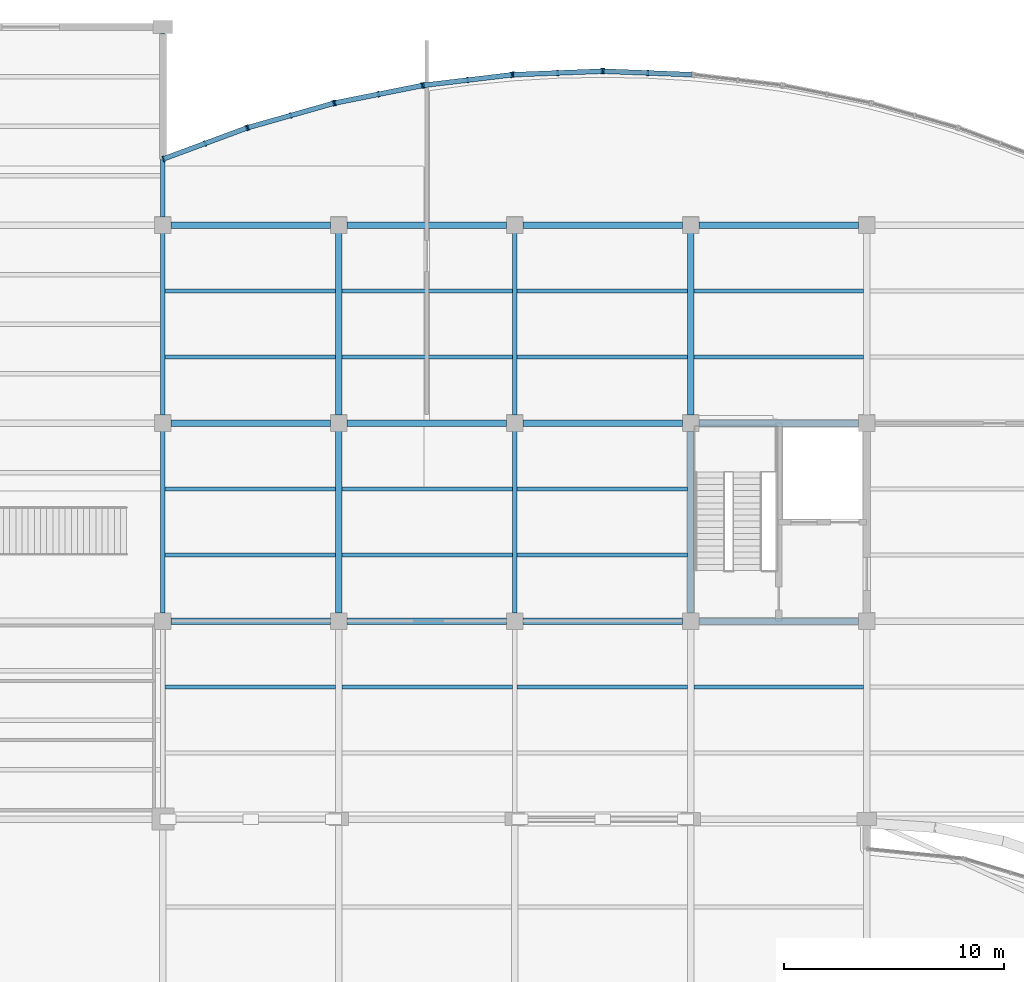
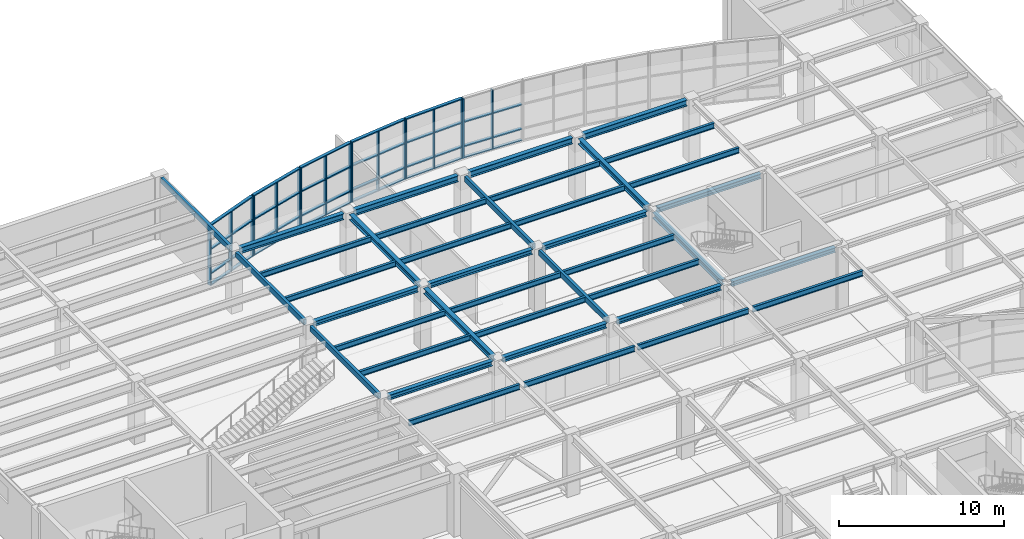
# One storey, part 33 of 72: 40 members, 39 beams, 6 elements without a shape of their own.
"""IFC4 building model written with IfcOpenShell, lengths in metres."""

from ifc_helpers import new_model, si_unit, direction, frame, origin, origin_2d, place, context, subcontext, project, spatial, rectangle, hollow_rectangle, i_section, extrude, material, layer, layer_set, material_profile, profile_set, type_object, element, aggregate, save


model = new_model("IFC4")

# Units and contexts
model_context = context("Model", 3, precision=1e-05, world=origin(), true_north=direction((0.0, 1.0)))
body_context = subcontext(model_context, "Body", "Model", "MODEL_VIEW")
ifc_project = project(units=[si_unit("LENGTHUNIT", "METRE"), si_unit("AREAUNIT", "SQUARE_METRE"), si_unit("VOLUMEUNIT", "CUBIC_METRE"), si_unit("PLANEANGLEUNIT", "RADIAN"), si_unit("MASSUNIT", "GRAM", prefix="KILO")], contexts=[model_context])

# Site, building, storey
site_placement = place(None, origin())
site = spatial("IfcSite", under=ifc_project, at=site_placement, CompositionType="ELEMENT")
building_placement = place(site_placement, origin())
building = spatial("IfcBuilding", under=site, at=building_placement, Name="Keelwater Ferry Terminal", CompositionType="ELEMENT")
storey_placement = place(building_placement, frame((0.0, 0.0, 5.39990234375)))
storey = spatial("IfcBuildingStorey", under=building, at=storey_placement, Name="L01", CompositionType="ELEMENT", Elevation=5.39990234375)

# Curtain wall, members
ifc_material_1 = material(Name="Thermally broken unitised aluminium and triple glass", Category="aluminium")
ifc_layer = layer(ifc_material_1, 0.179931640625)
ifc_layer_set = layer_set([ifc_layer], Name="Thermally broken unitised aluminium and triple glass")
curtain_wall_type = type_object("IfcCurtainWallType", Name="CW-21 Unitised Curtain Wall 4015x4400", PredefinedType="USERDEFINED", material=ifc_layer_set)
curtain_wall_1_placement = place(storey_placement, origin())
curtain_wall_1 = element("IfcCurtainWall", 1, at=curtain_wall_1_placement, inside=storey, type_object=curtain_wall_type, Name="Unitised Curtain Wall CW-L01-187", ObjectType="UNITISED CURTAIN WALL", PredefinedType="USERDEFINED")
ifc_material_2 = material(Name="Aluminium mullion", Category="aluminium")
ifc_material_profile_1 = material_profile(ifc_material_2, rectangle(XDim=0.080078125, YDim=0.25, at=origin_2d()), Name="CWM-04")
ifc_profile_set_1 = profile_set([ifc_material_profile_1], Name="Aluminium mullion")
member_type_1 = type_object("IfcMemberType", Name="CWM-04 Curtain Mullion 80x250", PredefinedType="MULLION", material=ifc_profile_set_1)
member_1_placement = place(storey_placement, frame((154.051025390625, 123.9189453125, 0.0), z_axis=(0.0, 0.0, 1.0), x_axis=(-0.999225435626, 0.039351350652, 0.0)))
member_1 = element("IfcMember", 2, at=member_1_placement, type_object=member_type_1, Name="CW-L01-187 Mullion 2", PredefinedType="MULLION", context=body_context, shape_type="SweptSolid", body=[
    extrude(rectangle(XDim=0.080078125, YDim=0.25, at=origin_2d()), origin(), (0.0, 0.0, 1.0), 4.400146484375),
])
member_2_placement = place(storey_placement, frame((152.044921875, 123.998046875, 0.0), z_axis=(0.0, 0.0, 1.0), x_axis=(-0.999225435626, 0.039351350652, 0.0)))
member_2 = element("IfcMember", 3, at=member_2_placement, type_object=member_type_1, Name="CW-L01-187 Mullion 3", PredefinedType="MULLION", context=body_context, shape_type="SweptSolid", body=[
    extrude(rectangle(XDim=0.080078125, YDim=0.25, at=origin_2d()), origin(), (0.0, 0.0, 1.0), 4.400146484375),
])

curtain_wall_2_placement = place(storey_placement, origin())
curtain_wall_2 = element("IfcCurtainWall", 4, at=curtain_wall_2_placement, inside=storey, type_object=curtain_wall_type, Name="Unitised Curtain Wall CW-L01-188", ObjectType="UNITISED CURTAIN WALL", PredefinedType="USERDEFINED")
member_3_placement = place(storey_placement, frame((151.955078125, 123.998046875, 0.0), z_axis=(0.0, 0.0, 1.0), x_axis=(-0.999225435626, -0.039351350652, 0.0)))
member_3 = element("IfcMember", 5, at=member_3_placement, type_object=member_type_1, Name="CW-L01-188 Mullion 1", PredefinedType="MULLION", context=body_context, shape_type="SweptSolid", body=[
    extrude(rectangle(XDim=0.080078125, YDim=0.25, at=origin_2d()), origin(), (0.0, 0.0, 1.0), 4.400146484375),
])
member_4_placement = place(storey_placement, frame((149.948974609375, 123.9189453125, 0.0), z_axis=(0.0, 0.0, 1.0), x_axis=(-0.999225435626, -0.039351350652, 0.0)))
member_4 = element("IfcMember", 6, at=member_4_placement, type_object=member_type_1, Name="CW-L01-188 Mullion 2", PredefinedType="MULLION", context=body_context, shape_type="SweptSolid", body=[
    extrude(rectangle(XDim=0.080078125, YDim=0.25, at=origin_2d()), origin(), (0.0, 0.0, 1.0), 4.400146484375),
])
member_5_placement = place(storey_placement, frame((147.943115234375, 123.840087890625, 0.0), z_axis=(0.0, 0.0, 1.0), x_axis=(-0.999225435626, -0.039351350652, 0.0)))
member_5 = element("IfcMember", 7, at=member_5_placement, type_object=member_type_1, Name="CW-L01-188 Mullion 3", PredefinedType="MULLION", context=body_context, shape_type="SweptSolid", body=[
    extrude(rectangle(XDim=0.080078125, YDim=0.25, at=origin_2d()), origin(), (0.0, 0.0, 1.0), 4.400146484375),
])

curtain_wall_3_placement = place(storey_placement, origin())
curtain_wall_3 = element("IfcCurtainWall", 8, at=curtain_wall_3_placement, inside=storey, type_object=curtain_wall_type, Name="Unitised Curtain Wall CW-L01-189", ObjectType="UNITISED CURTAIN WALL", PredefinedType="USERDEFINED")
member_6_placement = place(storey_placement, frame((147.85302734375, 123.8330078125, 0.0), z_axis=(0.0, 0.0, 1.0), x_axis=(-0.992974342459, -0.118329857676, 0.0)))
member_6 = element("IfcMember", 9, at=member_6_placement, type_object=member_type_1, Name="CW-L01-189 Mullion 1", PredefinedType="MULLION", context=body_context, shape_type="SweptSolid", body=[
    extrude(rectangle(XDim=0.080078125, YDim=0.25, at=origin_2d()), origin(), (0.0, 0.0, 1.0), 4.400146484375),
])
member_7_placement = place(storey_placement, frame((145.860107421875, 123.595458984375, 0.0), z_axis=(0.0, 0.0, 1.0), x_axis=(-0.992974342459, -0.118329857676, 0.0)))
member_7 = element("IfcMember", 10, at=member_7_placement, type_object=member_type_1, Name="CW-L01-189 Mullion 2", PredefinedType="MULLION", context=body_context, shape_type="SweptSolid", body=[
    extrude(rectangle(XDim=0.080078125, YDim=0.25, at=origin_2d()), origin(), (0.0, 0.0, 1.0), 4.400146484375),
])
member_8_placement = place(storey_placement, frame((143.866943359375, 123.35791015625, 0.0), z_axis=(0.0, 0.0, 1.0), x_axis=(-0.992974342459, -0.118329857676, 0.0)))
member_8 = element("IfcMember", 11, at=member_8_placement, type_object=member_type_1, Name="CW-L01-189 Mullion 3", PredefinedType="MULLION", context=body_context, shape_type="SweptSolid", body=[
    extrude(rectangle(XDim=0.080078125, YDim=0.25, at=origin_2d()), origin(), (0.0, 0.0, 1.0), 4.400146484375),
])

curtain_wall_4_placement = place(storey_placement, origin())
curtain_wall_4 = element("IfcCurtainWall", 12, at=curtain_wall_4_placement, inside=storey, type_object=curtain_wall_type, Name="Unitised Curtain Wall CW-L01-190", ObjectType="UNITISED CURTAIN WALL", PredefinedType="USERDEFINED")
member_9_placement = place(storey_placement, frame((143.778076171875, 123.343994140625, 0.0), z_axis=(0.0, 0.0, 1.0), x_axis=(-0.98059983046, -0.196020336958, 0.0)))
member_9 = element("IfcMember", 13, at=member_9_placement, type_object=member_type_1, Name="CW-L01-190 Mullion 1", PredefinedType="MULLION", context=body_context, shape_type="SweptSolid", body=[
    extrude(rectangle(XDim=0.080078125, YDim=0.25, at=origin_2d()), origin(), (0.0, 0.0, 1.0), 4.400146484375),
])
member_10_placement = place(storey_placement, frame((141.8095703125, 122.950439453125, 0.0), z_axis=(0.0, 0.0, 1.0), x_axis=(-0.98059983046, -0.196020336958, 0.0)))
member_10 = element("IfcMember", 14, at=member_10_placement, type_object=member_type_1, Name="CW-L01-190 Mullion 2", PredefinedType="MULLION", context=body_context, shape_type="SweptSolid", body=[
    extrude(rectangle(XDim=0.080078125, YDim=0.25, at=origin_2d()), origin(), (0.0, 0.0, 1.0), 4.400146484375),
])
member_11_placement = place(storey_placement, frame((139.841064453125, 122.556884765625, 0.0), z_axis=(0.0, 0.0, 1.0), x_axis=(-0.98059983046, -0.196020336958, 0.0)))
member_11 = element("IfcMember", 15, at=member_11_placement, type_object=member_type_1, Name="CW-L01-190 Mullion 3", PredefinedType="MULLION", context=body_context, shape_type="SweptSolid", body=[
    extrude(rectangle(XDim=0.080078125, YDim=0.25, at=origin_2d()), origin(), (0.0, 0.0, 1.0), 4.400146484375),
])

curtain_wall_5_placement = place(storey_placement, origin())
curtain_wall_5 = element("IfcCurtainWall", 16, at=curtain_wall_5_placement, inside=storey, type_object=curtain_wall_type, Name="Unitised Curtain Wall CW-L01-191", ObjectType="UNITISED CURTAIN WALL", PredefinedType="USERDEFINED")
member_12_placement = place(storey_placement, frame((139.75390625, 122.535888671875, 0.0), z_axis=(0.0, 0.0, 1.0), x_axis=(-0.962029778706, -0.272944508797, 0.0)))
member_12 = element("IfcMember", 17, at=member_12_placement, type_object=member_type_1, Name="CW-L01-191 Mullion 1", PredefinedType="MULLION", context=body_context, shape_type="SweptSolid", body=[
    extrude(rectangle(XDim=0.080078125, YDim=0.25, at=origin_2d()), origin(), (0.0, 0.0, 1.0), 4.400146484375),
])
member_13_placement = place(storey_placement, frame((137.822509765625, 121.988037109375, 0.0), z_axis=(0.0, 0.0, 1.0), x_axis=(-0.962029778706, -0.272944508797, 0.0)))
member_13 = element("IfcMember", 18, at=member_13_placement, type_object=member_type_1, Name="CW-L01-191 Mullion 2", PredefinedType="MULLION", context=body_context, shape_type="SweptSolid", body=[
    extrude(rectangle(XDim=0.080078125, YDim=0.25, at=origin_2d()), origin(), (0.0, 0.0, 1.0), 4.400146484375),
])
member_14_placement = place(storey_placement, frame((135.89111328125, 121.43994140625, 0.0), z_axis=(0.0, 0.0, 1.0), x_axis=(-0.962029778706, -0.272944508797, 0.0)))
member_14 = element("IfcMember", 19, at=member_14_placement, type_object=member_type_1, Name="CW-L01-191 Mullion 3", PredefinedType="MULLION", context=body_context, shape_type="SweptSolid", body=[
    extrude(rectangle(XDim=0.080078125, YDim=0.25, at=origin_2d()), origin(), (0.0, 0.0, 1.0), 4.400146484375),
])

curtain_wall_6_placement = place(storey_placement, origin())
curtain_wall_6 = element("IfcCurtainWall", 20, at=curtain_wall_6_placement, inside=storey, type_object=curtain_wall_type, Name="Unitised Curtain Wall CW-L01-192", ObjectType="UNITISED CURTAIN WALL", PredefinedType="USERDEFINED")
member_15_placement = place(storey_placement, frame((135.805908203125, 121.412109375, 0.0), z_axis=(0.0, 0.0, 1.0), x_axis=(-0.937592418253, -0.347736189136, 0.0)))
member_15 = element("IfcMember", 21, at=member_15_placement, type_object=member_type_1, Name="CW-L01-192 Mullion 1", PredefinedType="MULLION", context=body_context, shape_type="SweptSolid", body=[
    extrude(rectangle(XDim=0.080078125, YDim=0.25, at=origin_2d()), origin(), (0.0, 0.0, 1.0), 4.400146484375),
])
member_16_placement = place(storey_placement, frame((133.924072265625, 120.714111328125, 0.0), z_axis=(0.0, 0.0, 1.0), x_axis=(-0.937592418253, -0.347736189136, 0.0)))
member_16 = element("IfcMember", 22, at=member_16_placement, type_object=member_type_1, Name="CW-L01-192 Mullion 2", PredefinedType="MULLION", context=body_context, shape_type="SweptSolid", body=[
    extrude(rectangle(XDim=0.080078125, YDim=0.25, at=origin_2d()), origin(), (0.0, 0.0, 1.0), 4.400146484375),
])
member_17_placement = place(storey_placement, frame((132.0419921875, 120.01611328125, 0.0), z_axis=(0.0, 0.0, 1.0), x_axis=(-0.937592418253, -0.347736189136, 0.0)))
member_17 = element("IfcMember", 23, at=member_17_placement, type_object=member_type_1, Name="CW-L01-192 Mullion 3", PredefinedType="MULLION", context=body_context, shape_type="SweptSolid", body=[
    extrude(rectangle(XDim=0.080078125, YDim=0.25, at=origin_2d()), origin(), (0.0, 0.0, 1.0), 4.400146484375),
])

# Member
ifc_material_3 = material(Name="Aluminium mullion", Category="aluminium")
ifc_material_profile_2 = material_profile(ifc_material_3, rectangle(XDim=0.219970703125, YDim=0.080078125, at=origin_2d()), Name="CWT-04")
ifc_profile_set_2 = profile_set([ifc_material_profile_2], Name="Aluminium mullion")
member_type_2 = type_object("IfcMemberType", Name="CWT-04 Curtain Transom 80x220", PredefinedType="USERDEFINED", material=ifc_profile_set_2)
member_18_placement = place(storey_placement, frame((156.056884765625, 123.840087890625, 0.0), z_axis=(-0.999225822944, 0.03934151448, 0.0), x_axis=(-0.03934151448, -0.999225822944, 0.0)))
member_18 = element("IfcMember", 24, at=member_18_placement, type_object=member_type_2, Name="CW-L01-187 Transom 1", ObjectType="TRANSOM", PredefinedType="USERDEFINED", context=body_context, shape_type="SweptSolid", body=[
    extrude(rectangle(XDim=0.219970703125, YDim=0.080078125, at=origin_2d()), origin(), (0.0, 0.0, 1.0), 4.01513671875),
])

member_19_placement = place(storey_placement, frame((156.056884765625, 123.840087890625, 0.85009765625), z_axis=(-0.999225822944, 0.03934151448, 0.0), x_axis=(-0.03934151448, -0.999225822944, 0.0)))
member_19 = element("IfcMember", 25, at=member_19_placement, type_object=member_type_2, Name="CW-L01-187 Transom 2", ObjectType="TRANSOM", PredefinedType="USERDEFINED", context=body_context, shape_type="SweptSolid", body=[
    extrude(rectangle(XDim=0.219970703125, YDim=0.080078125, at=origin_2d()), origin(), (0.0, 0.0, 1.0), 4.01513671875),
])

member_20_placement = place(storey_placement, frame((156.056884765625, 123.840087890625, 2.650146484375), z_axis=(-0.999225822944, 0.03934151448, 0.0), x_axis=(-0.03934151448, -0.999225822944, 0.0)))
member_20 = element("IfcMember", 26, at=member_20_placement, type_object=member_type_2, Name="CW-L01-187 Transom 3", ObjectType="TRANSOM", PredefinedType="USERDEFINED", context=body_context, shape_type="SweptSolid", body=[
    extrude(rectangle(XDim=0.219970703125, YDim=0.080078125, at=origin_2d()), origin(), (0.0, 0.0, 1.0), 4.01513671875),
])

aggregate(curtain_wall_1, [member_1, member_2, member_18, member_19, member_20])

member_21_placement = place(storey_placement, frame((151.955078125, 123.998046875, 0.0), z_axis=(-0.999225822944, -0.03934151448, 0.0), x_axis=(0.03934151448, -0.999225822944, 0.0)))
member_21 = element("IfcMember", 27, at=member_21_placement, type_object=member_type_2, Name="CW-L01-188 Transom 1", ObjectType="TRANSOM", PredefinedType="USERDEFINED", context=body_context, shape_type="SweptSolid", body=[
    extrude(rectangle(XDim=0.219970703125, YDim=0.080078125, at=origin_2d()), origin(), (0.0, 0.0, 1.0), 4.01513671875),
])

member_22_placement = place(storey_placement, frame((151.955078125, 123.998046875, 0.85009765625), z_axis=(-0.999225822944, -0.03934151448, 0.0), x_axis=(0.03934151448, -0.999225822944, 0.0)))
member_22 = element("IfcMember", 28, at=member_22_placement, type_object=member_type_2, Name="CW-L01-188 Transom 2", ObjectType="TRANSOM", PredefinedType="USERDEFINED", context=body_context, shape_type="SweptSolid", body=[
    extrude(rectangle(XDim=0.219970703125, YDim=0.080078125, at=origin_2d()), origin(), (0.0, 0.0, 1.0), 4.01513671875),
])

member_23_placement = place(storey_placement, frame((151.955078125, 123.998046875, 2.650146484375), z_axis=(-0.999225822944, -0.03934151448, 0.0), x_axis=(0.03934151448, -0.999225822944, 0.0)))
member_23 = element("IfcMember", 29, at=member_23_placement, type_object=member_type_2, Name="CW-L01-188 Transom 3", ObjectType="TRANSOM", PredefinedType="USERDEFINED", context=body_context, shape_type="SweptSolid", body=[
    extrude(rectangle(XDim=0.219970703125, YDim=0.080078125, at=origin_2d()), origin(), (0.0, 0.0, 1.0), 4.01513671875),
])

member_24_placement = place(storey_placement, frame((151.955078125, 123.998046875, 4.400146484375), z_axis=(-0.999225822944, -0.03934151448, 0.0), x_axis=(0.03934151448, -0.999225822944, 0.0)))
member_24 = element("IfcMember", 30, at=member_24_placement, type_object=member_type_2, Name="CW-L01-188 Transom 4", ObjectType="TRANSOM", PredefinedType="USERDEFINED", context=body_context, shape_type="SweptSolid", body=[
    extrude(rectangle(XDim=0.219970703125, YDim=0.080078125, at=origin_2d()), origin(), (0.0, 0.0, 1.0), 4.01513671875),
])

aggregate(curtain_wall_2, [member_3, member_4, member_5, member_21, member_22, member_23, member_24])

member_25_placement = place(storey_placement, frame((147.85302734375, 123.8330078125, 0.0), z_axis=(-0.992971776767, -0.1183513859, 0.0), x_axis=(0.1183513859, -0.992971776767, 0.0)))
member_25 = element("IfcMember", 31, at=member_25_placement, type_object=member_type_2, Name="CW-L01-189 Transom 1", ObjectType="TRANSOM", PredefinedType="USERDEFINED", context=body_context, shape_type="SweptSolid", body=[
    extrude(rectangle(XDim=0.219970703125, YDim=0.080078125, at=origin_2d()), origin(), (0.0, 0.0, 1.0), 4.014404296875),
])

member_26_placement = place(storey_placement, frame((147.85302734375, 123.8330078125, 0.85009765625), z_axis=(-0.992971776767, -0.1183513859, 0.0), x_axis=(0.1183513859, -0.992971776767, 0.0)))
member_26 = element("IfcMember", 32, at=member_26_placement, type_object=member_type_2, Name="CW-L01-189 Transom 2", ObjectType="TRANSOM", PredefinedType="USERDEFINED", context=body_context, shape_type="SweptSolid", body=[
    extrude(rectangle(XDim=0.219970703125, YDim=0.080078125, at=origin_2d()), origin(), (0.0, 0.0, 1.0), 4.014404296875),
])

member_27_placement = place(storey_placement, frame((147.85302734375, 123.8330078125, 2.650146484375), z_axis=(-0.992971776767, -0.1183513859, 0.0), x_axis=(0.1183513859, -0.992971776767, 0.0)))
member_27 = element("IfcMember", 33, at=member_27_placement, type_object=member_type_2, Name="CW-L01-189 Transom 3", ObjectType="TRANSOM", PredefinedType="USERDEFINED", context=body_context, shape_type="SweptSolid", body=[
    extrude(rectangle(XDim=0.219970703125, YDim=0.080078125, at=origin_2d()), origin(), (0.0, 0.0, 1.0), 4.014404296875),
])

member_28_placement = place(storey_placement, frame((147.85302734375, 123.8330078125, 4.400146484375), z_axis=(-0.992971776767, -0.1183513859, 0.0), x_axis=(0.1183513859, -0.992971776767, 0.0)))
member_28 = element("IfcMember", 34, at=member_28_placement, type_object=member_type_2, Name="CW-L01-189 Transom 4", ObjectType="TRANSOM", PredefinedType="USERDEFINED", context=body_context, shape_type="SweptSolid", body=[
    extrude(rectangle(XDim=0.219970703125, YDim=0.080078125, at=origin_2d()), origin(), (0.0, 0.0, 1.0), 4.014404296875),
])

aggregate(curtain_wall_3, [member_6, member_7, member_8, member_25, member_26, member_27, member_28])

member_29_placement = place(storey_placement, frame((143.778076171875, 123.343994140625, 0.0), z_axis=(-0.980594705866, -0.196045971209, 0.0), x_axis=(0.196045971209, -0.980594705866, 0.0)))
member_29 = element("IfcMember", 35, at=member_29_placement, type_object=member_type_2, Name="CW-L01-190 Transom 1", ObjectType="TRANSOM", PredefinedType="USERDEFINED", context=body_context, shape_type="SweptSolid", body=[
    extrude(rectangle(XDim=0.219970703125, YDim=0.080078125, at=origin_2d()), origin(), (0.0, 0.0, 1.0), 4.014892578125),
])

member_30_placement = place(storey_placement, frame((143.778076171875, 123.343994140625, 0.85009765625), z_axis=(-0.980594705866, -0.196045971209, 0.0), x_axis=(0.196045971209, -0.980594705866, 0.0)))
member_30 = element("IfcMember", 36, at=member_30_placement, type_object=member_type_2, Name="CW-L01-190 Transom 2", ObjectType="TRANSOM", PredefinedType="USERDEFINED", context=body_context, shape_type="SweptSolid", body=[
    extrude(rectangle(XDim=0.219970703125, YDim=0.080078125, at=origin_2d()), origin(), (0.0, 0.0, 1.0), 4.014892578125),
])

member_31_placement = place(storey_placement, frame((143.778076171875, 123.343994140625, 2.650146484375), z_axis=(-0.980594705866, -0.196045971209, 0.0), x_axis=(0.196045971209, -0.980594705866, 0.0)))
member_31 = element("IfcMember", 37, at=member_31_placement, type_object=member_type_2, Name="CW-L01-190 Transom 3", ObjectType="TRANSOM", PredefinedType="USERDEFINED", context=body_context, shape_type="SweptSolid", body=[
    extrude(rectangle(XDim=0.219970703125, YDim=0.080078125, at=origin_2d()), origin(), (0.0, 0.0, 1.0), 4.014892578125),
])

member_32_placement = place(storey_placement, frame((143.778076171875, 123.343994140625, 4.400146484375), z_axis=(-0.980594705866, -0.196045971209, 0.0), x_axis=(0.196045971209, -0.980594705866, 0.0)))
member_32 = element("IfcMember", 38, at=member_32_placement, type_object=member_type_2, Name="CW-L01-190 Transom 4", ObjectType="TRANSOM", PredefinedType="USERDEFINED", context=body_context, shape_type="SweptSolid", body=[
    extrude(rectangle(XDim=0.219970703125, YDim=0.080078125, at=origin_2d()), origin(), (0.0, 0.0, 1.0), 4.014892578125),
])

aggregate(curtain_wall_4, [member_9, member_10, member_11, member_29, member_30, member_31, member_32])

member_33_placement = place(storey_placement, frame((139.75390625, 122.535888671875, 0.0), z_axis=(-0.962029386072, -0.272945892686, 0.0), x_axis=(0.272945892686, -0.962029386072, 0.0)))
member_33 = element("IfcMember", 39, at=member_33_placement, type_object=member_type_2, Name="CW-L01-191 Transom 1", ObjectType="TRANSOM", PredefinedType="USERDEFINED", context=body_context, shape_type="SweptSolid", body=[
    extrude(rectangle(XDim=0.219970703125, YDim=0.080078125, at=origin_2d()), origin(), (0.0, 0.0, 1.0), 4.01513671875),
])

member_34_placement = place(storey_placement, frame((139.75390625, 122.535888671875, 0.85009765625), z_axis=(-0.962029386072, -0.272945892686, 0.0), x_axis=(0.272945892686, -0.962029386072, 0.0)))
member_34 = element("IfcMember", 40, at=member_34_placement, type_object=member_type_2, Name="CW-L01-191 Transom 2", ObjectType="TRANSOM", PredefinedType="USERDEFINED", context=body_context, shape_type="SweptSolid", body=[
    extrude(rectangle(XDim=0.219970703125, YDim=0.080078125, at=origin_2d()), origin(), (0.0, 0.0, 1.0), 4.01513671875),
])

member_35_placement = place(storey_placement, frame((139.75390625, 122.535888671875, 2.650146484375), z_axis=(-0.962029386072, -0.272945892686, 0.0), x_axis=(0.272945892686, -0.962029386072, 0.0)))
member_35 = element("IfcMember", 41, at=member_35_placement, type_object=member_type_2, Name="CW-L01-191 Transom 3", ObjectType="TRANSOM", PredefinedType="USERDEFINED", context=body_context, shape_type="SweptSolid", body=[
    extrude(rectangle(XDim=0.219970703125, YDim=0.080078125, at=origin_2d()), origin(), (0.0, 0.0, 1.0), 4.01513671875),
])

member_36_placement = place(storey_placement, frame((139.75390625, 122.535888671875, 4.400146484375), z_axis=(-0.962029386072, -0.272945892686, 0.0), x_axis=(0.272945892686, -0.962029386072, 0.0)))
member_36 = element("IfcMember", 42, at=member_36_placement, type_object=member_type_2, Name="CW-L01-191 Transom 4", ObjectType="TRANSOM", PredefinedType="USERDEFINED", context=body_context, shape_type="SweptSolid", body=[
    extrude(rectangle(XDim=0.219970703125, YDim=0.080078125, at=origin_2d()), origin(), (0.0, 0.0, 1.0), 4.01513671875),
])

aggregate(curtain_wall_5, [member_12, member_13, member_14, member_33, member_34, member_35, member_36])

member_37_placement = place(storey_placement, frame((135.805908203125, 121.412109375, 0.0), z_axis=(-0.937590205769, -0.347742154543, 0.0), x_axis=(0.347742154543, -0.937590205769, 0.0)))
member_37 = element("IfcMember", 43, at=member_37_placement, type_object=member_type_2, Name="CW-L01-192 Transom 1", ObjectType="TRANSOM", PredefinedType="USERDEFINED", context=body_context, shape_type="SweptSolid", body=[
    extrude(rectangle(XDim=0.219970703125, YDim=0.080078125, at=origin_2d()), origin(), (0.0, 0.0, 1.0), 4.014404296875),
])

member_38_placement = place(storey_placement, frame((135.805908203125, 121.412109375, 0.85009765625), z_axis=(-0.937590205769, -0.347742154543, 0.0), x_axis=(0.347742154543, -0.937590205769, 0.0)))
member_38 = element("IfcMember", 44, at=member_38_placement, type_object=member_type_2, Name="CW-L01-192 Transom 2", ObjectType="TRANSOM", PredefinedType="USERDEFINED", context=body_context, shape_type="SweptSolid", body=[
    extrude(rectangle(XDim=0.219970703125, YDim=0.080078125, at=origin_2d()), origin(), (0.0, 0.0, 1.0), 4.014404296875),
])

member_39_placement = place(storey_placement, frame((135.805908203125, 121.412109375, 2.650146484375), z_axis=(-0.937590205769, -0.347742154543, 0.0), x_axis=(0.347742154543, -0.937590205769, 0.0)))
member_39 = element("IfcMember", 45, at=member_39_placement, type_object=member_type_2, Name="CW-L01-192 Transom 3", ObjectType="TRANSOM", PredefinedType="USERDEFINED", context=body_context, shape_type="SweptSolid", body=[
    extrude(rectangle(XDim=0.219970703125, YDim=0.080078125, at=origin_2d()), origin(), (0.0, 0.0, 1.0), 4.014404296875),
])

member_40_placement = place(storey_placement, frame((135.805908203125, 121.412109375, 4.400146484375), z_axis=(-0.937590205769, -0.347742154543, 0.0), x_axis=(0.347742154543, -0.937590205769, 0.0)))
member_40 = element("IfcMember", 46, at=member_40_placement, type_object=member_type_2, Name="CW-L01-192 Transom 4", ObjectType="TRANSOM", PredefinedType="USERDEFINED", context=body_context, shape_type="SweptSolid", body=[
    extrude(rectangle(XDim=0.219970703125, YDim=0.080078125, at=origin_2d()), origin(), (0.0, 0.0, 1.0), 4.014404296875),
])

aggregate(curtain_wall_6, [member_15, member_16, member_17, member_37, member_38, member_39, member_40])

# Beams
ifc_material_4 = material(Name="Steel S355", Category="steel")
ifc_material_profile_3 = material_profile(ifc_material_4, i_section(OverallWidth=0.300048828125, OverallDepth=0.449951171875, WebThickness=0.013916015625, FlangeThickness=0.02587890625, at=origin_2d()), Name="HEB 450")
ifc_profile_set_3 = profile_set([ifc_material_profile_3], Name="Steel S355")
beam_type_1 = type_object("IfcBeamType", Name="G6 HEB 450", PredefinedType="BEAM", material=ifc_profile_set_3)
for number, where, z_axis, x_axis, name in (
    (47, (132.367919921875, 117.0, 4.295166015625), (1.0, 0.0, 0.0), (0.0, 1.0, 0.0), "Beam BM-L01-0702"),
    (48, (140.367919921875, 117.0, 4.295166015625), (1.0, 0.0, 0.0), (0.0, 1.0, 0.0), "Beam BM-L01-0703"),
    (49, (148.367919921875, 117.0, 4.295166015625), (1.0, 0.0, 0.0), (0.0, 1.0, 0.0), "Beam BM-L01-0704"),
    (50, (156.367919921875, 117.0, 4.295166015625), (1.0, 0.0, 0.0), (0.0, 1.0, 0.0), "Beam BM-L01-0705"),
):
    element("IfcBeam", number, at=place(storey_placement, frame(where, z_axis=z_axis, x_axis=x_axis)), inside=storey, type_object=beam_type_1, Name=name, PredefinedType="BEAM", context=body_context, shape_type="SweptSolid", body=[
        extrude(i_section(OverallWidth=0.300048828125, OverallDepth=0.449951171875, WebThickness=0.013916015625, FlangeThickness=0.02587890625, at=origin_2d()), origin(), (0.0, 0.0, 1.0), 7.26416015625),
    ])
ifc_material_5 = material(Name="Steel S355", Category="steel")
ifc_material_profile_4 = material_profile(ifc_material_5, i_section(OverallWidth=0.300048828125, OverallDepth=0.39990234375, WebThickness=0.013427734375, FlangeThickness=0.02392578125, at=origin_2d()), Name="HEB 400")
ifc_profile_set_4 = profile_set([ifc_material_profile_4], Name="Steel S355")
beam_type_2 = type_object("IfcBeamType", Name="G7 HEB 400", PredefinedType="BEAM", material=ifc_profile_set_4)
for number, where, z_axis, x_axis, name in (
    (51, (140.0, 99.367919921875, 4.320068359375), (0.0, 1.0, 0.0), (-1.0, 0.0, 0.0), "Beam BM-L01-0772"),
    (52, (140.0, 108.367919921875, 4.320068359375), (0.0, 1.0, 0.0), (-1.0, 0.0, 0.0), "Beam BM-L01-0773"),
    (53, (156.0, 99.367919921875, 4.320068359375), (0.0, 1.0, 0.0), (-1.0, 0.0, 0.0), "Beam BM-L01-0790"),
    (54, (156.0, 108.367919921875, 4.320068359375), (0.0, 1.0, 0.0), (-1.0, 0.0, 0.0), "Beam BM-L01-0791"),
):
    element("IfcBeam", number, at=place(storey_placement, frame(where, z_axis=z_axis, x_axis=x_axis)), inside=storey, type_object=beam_type_2, Name=name, PredefinedType="BEAM", context=body_context, shape_type="SweptSolid", body=[
        extrude(i_section(OverallWidth=0.300048828125, OverallDepth=0.39990234375, WebThickness=0.013427734375, FlangeThickness=0.02392578125, at=origin_2d()), origin(), (0.0, 0.0, 1.0), 8.26416015625),
    ])
ifc_material_6 = material(Name="Steel S355", Category="steel")
ifc_material_profile_5 = material_profile(ifc_material_6, i_section(OverallWidth=0.179931640625, OverallDepth=0.39990234375, WebThickness=0.008544921875, FlangeThickness=0.013427734375, at=origin_2d()), Name="IPE 400")
ifc_profile_set_5 = profile_set([ifc_material_profile_5], Name="Steel S355")
beam_type_3 = type_object("IfcBeamType", Name="J5 IPE 400", PredefinedType="JOIST", material=ifc_profile_set_5)
for number, where, z_axis, x_axis, name in (
    (55, (132.10009765625, 96.0, 4.320068359375), (1.0, 0.0, 0.0), (0.0, 1.0, 0.0), "Beam BM-L01-0889"),
    (56, (132.10009765625, 102.0, 4.320068359375), (1.0, 0.0, 0.0), (0.0, 1.0, 0.0), "Beam BM-L01-0890"),
    (57, (132.10009765625, 105.0, 4.320068359375), (1.0, 0.0, 0.0), (0.0, 1.0, 0.0), "Beam BM-L01-0891"),
    (58, (132.10009765625, 111.0, 4.320068359375), (1.0, 0.0, 0.0), (0.0, 1.0, 0.0), "Beam BM-L01-0892"),
    (59, (132.10009765625, 114.0, 4.320068359375), (1.0, 0.0, 0.0), (0.0, 1.0, 0.0), "Beam BM-L01-0893"),
    (60, (140.14990234375, 96.0, 4.320068359375), (1.0, 0.0, 0.0), (0.0, 1.0, 0.0), "Beam BM-L01-0909"),
    (61, (140.14990234375, 102.0, 4.320068359375), (1.0, 0.0, 0.0), (0.0, 1.0, 0.0), "Beam BM-L01-0910"),
    (62, (140.14990234375, 105.0, 4.320068359375), (1.0, 0.0, 0.0), (0.0, 1.0, 0.0), "Beam BM-L01-0911"),
    (63, (140.14990234375, 111.0, 4.320068359375), (1.0, 0.0, 0.0), (0.0, 1.0, 0.0), "Beam BM-L01-0912"),
    (64, (140.14990234375, 114.0, 4.320068359375), (1.0, 0.0, 0.0), (0.0, 1.0, 0.0), "Beam BM-L01-0913"),
    (65, (148.10009765625, 96.0, 4.320068359375), (1.0, 0.0, 0.0), (0.0, 1.0, 0.0), "Beam BM-L01-0919"),
    (66, (148.10009765625, 102.0, 4.320068359375), (1.0, 0.0, 0.0), (0.0, 1.0, 0.0), "Beam BM-L01-0920"),
    (67, (148.10009765625, 105.0, 4.320068359375), (1.0, 0.0, 0.0), (0.0, 1.0, 0.0), "Beam BM-L01-0921"),
    (68, (148.10009765625, 111.0, 4.320068359375), (1.0, 0.0, 0.0), (0.0, 1.0, 0.0), "Beam BM-L01-0922"),
    (69, (148.10009765625, 114.0, 4.320068359375), (1.0, 0.0, 0.0), (0.0, 1.0, 0.0), "Beam BM-L01-0923"),
):
    element("IfcBeam", number, at=place(storey_placement, frame(where, z_axis=z_axis, x_axis=x_axis)), inside=storey, type_object=beam_type_3, Name=name, PredefinedType="JOIST", context=body_context, shape_type="SweptSolid", body=[
        extrude(i_section(OverallWidth=0.179931640625, OverallDepth=0.39990234375, WebThickness=0.008544921875, FlangeThickness=0.013427734375, at=origin_2d()), origin(), (0.0, 0.0, 1.0), 7.75),
    ])
for number, where, z_axis, x_axis, name in (
    (70, (156.14990234375, 96.0, 4.320068359375), (1.0, 0.0, 0.0), (0.0, 1.0, 0.0), "Beam BM-L01-0931"),
    (71, (156.14990234375, 111.0, 4.320068359375), (1.0, 0.0, 0.0), (0.0, 1.0, 0.0), "Beam BM-L01-0932"),
    (72, (156.14990234375, 114.0, 4.320068359375), (1.0, 0.0, 0.0), (0.0, 1.0, 0.0), "Beam BM-L01-0933"),
):
    element("IfcBeam", number, at=place(storey_placement, frame(where, z_axis=z_axis, x_axis=x_axis)), inside=storey, type_object=beam_type_3, Name=name, PredefinedType="JOIST", context=body_context, shape_type="SweptSolid", body=[
        extrude(i_section(OverallWidth=0.179931640625, OverallDepth=0.39990234375, WebThickness=0.008544921875, FlangeThickness=0.013427734375, at=origin_2d()), origin(), (0.0, 0.0, 1.0), 7.7001953125),
    ])
ifc_material_7 = material(Name="Steel S355", Category="steel")
ifc_material_profile_6 = material_profile(ifc_material_7, i_section(OverallWidth=0.300048828125, OverallDepth=0.35009765625, WebThickness=0.010009765625, FlangeThickness=0.017578125, at=origin_2d()), Name="HEA 360")
ifc_profile_set_6 = profile_set([ifc_material_profile_6], Name="Steel S355")
beam_type_4 = type_object("IfcBeamType", Name="SP1E HEA 360", PredefinedType="SPANDREL", material=ifc_profile_set_6)
for number, where, z_axis, x_axis, name in (
    (73, (132.367919921875, 99.0, 4.34521484375), (1.0, 0.0, 0.0), (0.0, 1.0, 0.0), "Beam BM-L01-0686"),
    (74, (140.367919921875, 99.0, 4.34521484375), (1.0, 0.0, 0.0), (0.0, 1.0, 0.0), "Beam BM-L01-0687"),
    (75, (148.367919921875, 99.0, 4.34521484375), (1.0, 0.0, 0.0), (0.0, 1.0, 0.0), "Beam BM-L01-0688"),
    (76, (156.367919921875, 99.0, 4.34521484375), (1.0, 0.0, 0.0), (0.0, 1.0, 0.0), "Beam BM-L01-0689"),
    (77, (132.367919921875, 108.0, 4.34521484375), (1.0, 0.0, 0.0), (0.0, 1.0, 0.0), "Beam BM-L01-0694"),
    (78, (140.367919921875, 108.0, 4.34521484375), (1.0, 0.0, 0.0), (0.0, 1.0, 0.0), "Beam BM-L01-0695"),
    (79, (148.367919921875, 108.0, 4.34521484375), (1.0, 0.0, 0.0), (0.0, 1.0, 0.0), "Beam BM-L01-0696"),
    (80, (156.367919921875, 108.0, 4.34521484375), (1.0, 0.0, 0.0), (0.0, 1.0, 0.0), "Beam BM-L01-0697"),
):
    element("IfcBeam", number, at=place(storey_placement, frame(where, z_axis=z_axis, x_axis=x_axis)), inside=storey, type_object=beam_type_4, Name=name, PredefinedType="SPANDREL", context=body_context, shape_type="SweptSolid", body=[
        extrude(i_section(OverallWidth=0.300048828125, OverallDepth=0.35009765625, WebThickness=0.010009765625, FlangeThickness=0.017578125, at=origin_2d()), origin(), (0.0, 0.0, 1.0), 7.26416015625),
    ])
ifc_material_8 = material(Name="Steel S355", Category="steel")
ifc_material_profile_7 = material_profile(ifc_material_8, hollow_rectangle(XDim=0.199951171875, YDim=0.39990234375, WallThickness=0.01611328125, at=origin_2d()), Name="RHS 400x200x16")
ifc_profile_set_7 = profile_set([ifc_material_profile_7], Name="Steel S355")
beam_type_5 = type_object("IfcBeamType", Name="SP3E RHS 400x200x16", PredefinedType="SPANDREL", material=ifc_profile_set_7)
for number, where, z_axis, x_axis, name in (
    (81, (132.0, 99.367919921875, 4.320068359375), (0.0, 1.0, 0.0), (-1.0, 0.0, 0.0), "Beam BM-L01-0760"),
    (82, (132.0, 108.367919921875, 4.320068359375), (0.0, 1.0, 0.0), (-1.0, 0.0, 0.0), "Beam BM-L01-0761"),
):
    element("IfcBeam", number, at=place(storey_placement, frame(where, z_axis=z_axis, x_axis=x_axis)), inside=storey, type_object=beam_type_5, Name=name, PredefinedType="SPANDREL", context=body_context, shape_type="SweptSolid", body=[
        extrude(hollow_rectangle(XDim=0.199951171875, YDim=0.39990234375, WallThickness=0.01611328125, at=origin_2d()), origin(), (0.0, 0.0, 1.0), 8.26416015625),
    ])
beam_placement = place(storey_placement, frame((132.0, 117.367919921875, 4.320068359375), z_axis=(0.0, 1.0, 0.0), x_axis=(-1.0, 0.0, 0.0)))
element("IfcBeam", 83, at=beam_placement, inside=storey, type_object=beam_type_5, Name="Beam BM-L01-0762", PredefinedType="SPANDREL", context=body_context, shape_type="SweptSolid", body=[
    extrude(hollow_rectangle(XDim=0.199951171875, YDim=0.39990234375, WallThickness=0.01611328125, at=origin_2d()), origin(), (0.0, 0.0, 1.0), 8.338134765625),
])
for number, where, z_axis, x_axis, name in (
    (84, (148.0, 99.367919921875, 4.320068359375), (0.0, 1.0, 0.0), (-1.0, 0.0, 0.0), "Beam BM-L01-0783"),
    (85, (148.0, 108.367919921875, 4.320068359375), (0.0, 1.0, 0.0), (-1.0, 0.0, 0.0), "Beam BM-L01-0784"),
):
    element("IfcBeam", number, at=place(storey_placement, frame(where, z_axis=z_axis, x_axis=x_axis)), inside=storey, type_object=beam_type_5, Name=name, PredefinedType="SPANDREL", context=body_context, shape_type="SweptSolid", body=[
        extrude(hollow_rectangle(XDim=0.199951171875, YDim=0.39990234375, WallThickness=0.01611328125, at=origin_2d()), origin(), (0.0, 0.0, 1.0), 8.26416015625),
    ])

save(model, "model.ifc")
